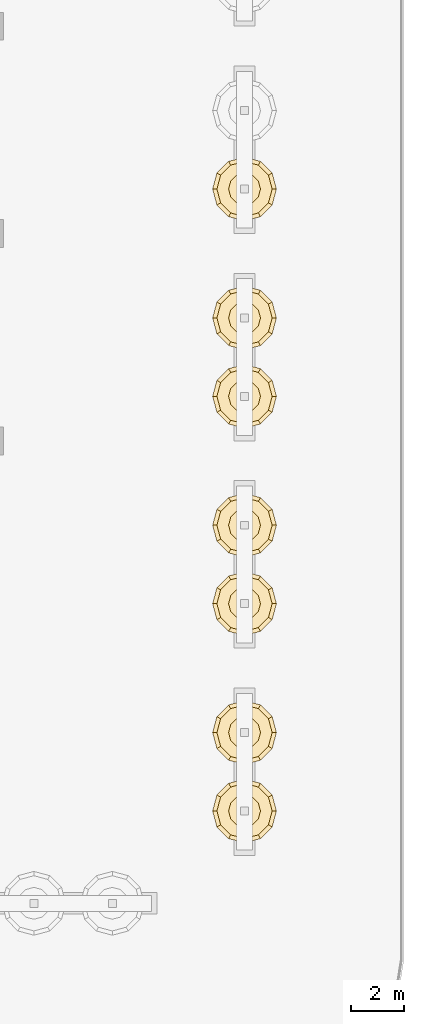
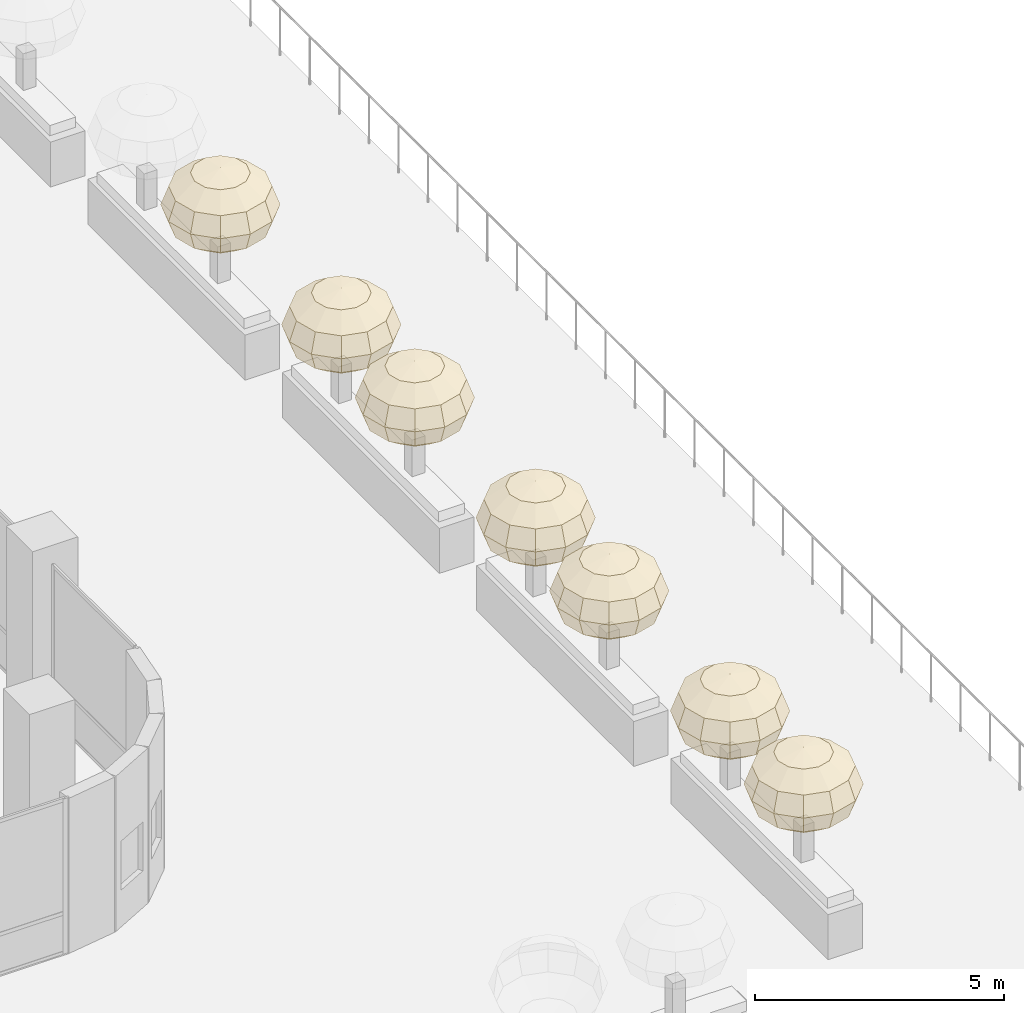
# One storey, part 30 of 31: 7 coverings.
"""IFC4 building model written with IfcOpenShell, lengths in metres."""

from ifc_helpers import new_model, si_unit, direction, frame, origin, place, context, subcontext, project, spatial, triangles, material, layer, layer_set, type_object, element, save


model = new_model("IFC4")

# Units and contexts
model_context = context("Model", 3, precision=1e-05, world=origin(), true_north=direction((0.0, 1.0)))
body_context = subcontext(model_context, "Body", "Model", "MODEL_VIEW")
ifc_project = project(units=[si_unit("LENGTHUNIT", "METRE"), si_unit("AREAUNIT", "SQUARE_METRE"), si_unit("VOLUMEUNIT", "CUBIC_METRE"), si_unit("PLANEANGLEUNIT", "RADIAN"), si_unit("MASSUNIT", "GRAM", prefix="KILO")], contexts=[model_context])

# Site, building, storey
site_placement = place(None, origin())
site = spatial("IfcSite", under=ifc_project, at=site_placement, CompositionType="ELEMENT")
building_placement = place(site_placement, origin())
building = spatial("IfcBuilding", under=site, at=building_placement, Name="Ludao Terraces", CompositionType="ELEMENT")
storey_placement = place(building_placement, frame((0.0, 0.0, 15.0)))
storey = spatial("IfcBuildingStorey", under=building, at=storey_placement, Name="L03", CompositionType="ELEMENT", Elevation=15.0)

# Coverings
ifc_material = material(Name="Planting")
ifc_layer = layer(ifc_material, 2.39990234375)
ifc_layer_set = layer_set([ifc_layer], Name="ENV Terrace tree crown 2400")
covering_type = type_object("IfcCoveringType", Name="ENV Terrace tree crown 2400", PredefinedType="USERDEFINED", material=ifc_layer_set)
covering_1_placement = place(storey_placement, frame((118.0, 35.47509765625, 3.14990234375)))
element("IfcCovering", 1, at=covering_1_placement, inside=storey, type_object=covering_type, Name="Terrace tree crown L03-T15.1", ObjectType="PLANTING", PredefinedType="USERDEFINED", context=body_context, shape_type="Tessellation", body=[
    triangles([(0.0, 0.0, 0.89990234375), (0.599853515625, 0.0, 0.779296875), (0.51953125, 0.300048828125, 0.779296875), (0.300048828125, 0.51953125, 0.779296875), (0.0, 0.599853515625, 0.779296875), (-0.300048828125, 0.51953125, 0.779296875), (-0.51953125, 0.300048828125, 0.779296875), (-0.599853515625, 0.0, 0.779296875), (-0.51953125, -0.300048828125, 0.779296875), (-0.300048828125, -0.51953125, 0.779296875), (0.0, -0.599853515625, 0.779296875), (0.300048828125, -0.51953125, 0.779296875), (0.51953125, -0.300048828125, 0.779296875), (1.039306640625, 0.0, 0.449951171875), (0.89990234375, 0.51953125, 0.449951171875), (0.51953125, 0.89990234375, 0.449951171875), (0.0, 1.039306640625, 0.449951171875), (-0.51953125, 0.89990234375, 0.449951171875), (-0.89990234375, 0.51953125, 0.449951171875), (-1.039306640625, 0.0, 0.449951171875), (-0.89990234375, -0.51953125, 0.449951171875), (-0.51953125, -0.89990234375, 0.449951171875), (0.0, -1.039306640625, 0.449951171875), (0.51953125, -0.89990234375, 0.449951171875), (0.89990234375, -0.51953125, 0.449951171875), (1.199951171875, 0.0, 0.0), (1.039306640625, 0.599853515625, 0.0), (0.60009765625, 1.039306640625, 0.0), (0.0, 1.199951171875, 0.0), (-0.599853515625, 1.039306640625, 0.0), (-1.039306640625, 0.599853515625, 0.0), (-1.199951171875, 0.0, 0.0), (-1.039306640625, -0.599853515625, 0.0), (-0.60009765625, -1.039306640625, 0.0), (0.0, -1.199951171875, 0.0), (0.60009765625, -1.039306640625, 0.0), (1.039306640625, -0.60009765625, 0.0), (1.039306640625, 0.0, -0.449951171875), (0.89990234375, 0.51953125, -0.449951171875), (0.51953125, 0.89990234375, -0.449951171875), (0.0, 1.039306640625, -0.449951171875), (-0.51953125, 0.89990234375, -0.449951171875), (-0.89990234375, 0.51953125, -0.449951171875), (-1.039306640625, 0.0, -0.449951171875), (-0.89990234375, -0.51953125, -0.449951171875), (-0.51953125, -0.89990234375, -0.449951171875), (0.0, -1.039306640625, -0.449951171875), (0.51953125, -0.89990234375, -0.449951171875), (0.89990234375, -0.51953125, -0.449951171875), (0.599853515625, 0.0, -0.779296875), (0.51953125, 0.300048828125, -0.779296875), (0.300048828125, 0.51953125, -0.779296875), (0.0, 0.599853515625, -0.779296875), (-0.300048828125, 0.51953125, -0.779296875), (-0.51953125, 0.300048828125, -0.779296875), (-0.599853515625, 0.0, -0.779296875), (-0.51953125, -0.300048828125, -0.779296875), (-0.300048828125, -0.51953125, -0.779296875), (0.0, -0.599853515625, -0.779296875), (0.300048828125, -0.51953125, -0.779296875), (0.51953125, -0.300048828125, -0.779296875), (0.0, 0.0, -0.89990234375)], [[1, 2, 3], [1, 3, 4], [1, 4, 5], [1, 5, 6], [1, 6, 7], [1, 7, 8], [1, 8, 9], [1, 9, 10], [1, 10, 11], [1, 11, 12], [1, 12, 13], [1, 13, 2], [2, 14, 15], [2, 15, 3], [3, 15, 16], [3, 16, 4], [4, 16, 17], [4, 17, 5], [5, 17, 18], [5, 18, 6], [6, 18, 19], [6, 19, 7], [7, 19, 20], [7, 20, 8], [8, 20, 21], [8, 21, 9], [9, 21, 22], [9, 22, 10], [10, 22, 23], [10, 23, 11], [11, 23, 24], [11, 24, 12], [12, 24, 25], [12, 25, 13], [13, 25, 14], [13, 14, 2], [14, 26, 27], [14, 27, 15], [15, 27, 28], [15, 28, 16], [16, 28, 29], [16, 29, 17], [17, 29, 30], [17, 30, 18], [18, 30, 31], [18, 31, 19], [19, 31, 32], [19, 32, 20], [20, 32, 33], [20, 33, 21], [21, 33, 34], [21, 34, 22], [22, 34, 35], [22, 35, 23], [23, 35, 36], [23, 36, 24], [24, 36, 37], [24, 37, 25], [25, 37, 26], [25, 26, 14], [26, 38, 39], [26, 39, 27], [27, 39, 40], [27, 40, 28], [28, 40, 41], [28, 41, 29], [29, 41, 42], [29, 42, 30], [30, 42, 43], [30, 43, 31], [31, 43, 44], [31, 44, 32], [32, 44, 45], [32, 45, 33], [33, 45, 46], [33, 46, 34], [34, 46, 47], [34, 47, 35], [35, 47, 48], [35, 48, 36], [36, 48, 49], [36, 49, 37], [37, 49, 38], [37, 38, 26], [38, 50, 51], [38, 51, 39], [39, 51, 52], [39, 52, 40], [40, 52, 53], [40, 53, 41], [41, 53, 54], [41, 54, 42], [42, 54, 55], [42, 55, 43], [43, 55, 56], [43, 56, 44], [44, 56, 57], [44, 57, 45], [45, 57, 58], [45, 58, 46], [46, 58, 59], [46, 59, 47], [47, 59, 60], [47, 60, 48], [48, 60, 61], [48, 61, 49], [49, 61, 50], [49, 50, 38], [62, 51, 50], [62, 52, 51], [62, 53, 52], [62, 54, 53], [62, 55, 54], [62, 56, 55], [62, 57, 56], [62, 58, 57], [62, 59, 58], [62, 60, 59], [62, 61, 60], [62, 50, 61]], closed=True),
])
covering_2_placement = place(storey_placement, frame((118.0, 38.425048828125, 3.14990234375)))
element("IfcCovering", 2, at=covering_2_placement, inside=storey, type_object=covering_type, Name="Terrace tree crown L03-T15.2", ObjectType="PLANTING", PredefinedType="USERDEFINED", context=body_context, shape_type="Tessellation", body=[
    triangles([(0.0, 0.0, 0.89990234375), (0.599853515625, 0.0, 0.779296875), (0.51953125, 0.300048828125, 0.779296875), (0.300048828125, 0.51953125, 0.779296875), (0.0, 0.599853515625, 0.779296875), (-0.300048828125, 0.51953125, 0.779296875), (-0.51953125, 0.300048828125, 0.779296875), (-0.599853515625, 0.0, 0.779296875), (-0.51953125, -0.300048828125, 0.779296875), (-0.300048828125, -0.51953125, 0.779296875), (0.0, -0.599853515625, 0.779296875), (0.300048828125, -0.51953125, 0.779296875), (0.51953125, -0.300048828125, 0.779296875), (1.039306640625, 0.0, 0.449951171875), (0.89990234375, 0.51953125, 0.449951171875), (0.51953125, 0.89990234375, 0.449951171875), (0.0, 1.039306640625, 0.449951171875), (-0.51953125, 0.89990234375, 0.449951171875), (-0.89990234375, 0.51953125, 0.449951171875), (-1.039306640625, 0.0, 0.449951171875), (-0.89990234375, -0.51953125, 0.449951171875), (-0.51953125, -0.89990234375, 0.449951171875), (0.0, -1.039306640625, 0.449951171875), (0.51953125, -0.89990234375, 0.449951171875), (0.89990234375, -0.51953125, 0.449951171875), (1.199951171875, 0.0, 0.0), (1.039306640625, 0.599853515625, 0.0), (0.60009765625, 1.039306640625, 0.0), (0.0, 1.199951171875, 0.0), (-0.599853515625, 1.039306640625, 0.0), (-1.039306640625, 0.599853515625, 0.0), (-1.199951171875, 0.0, 0.0), (-1.039306640625, -0.599853515625, 0.0), (-0.60009765625, -1.039306640625, 0.0), (0.0, -1.199951171875, 0.0), (0.60009765625, -1.039306640625, 0.0), (1.039306640625, -0.60009765625, 0.0), (1.039306640625, 0.0, -0.449951171875), (0.89990234375, 0.51953125, -0.449951171875), (0.51953125, 0.89990234375, -0.449951171875), (0.0, 1.039306640625, -0.449951171875), (-0.51953125, 0.89990234375, -0.449951171875), (-0.89990234375, 0.51953125, -0.449951171875), (-1.039306640625, 0.0, -0.449951171875), (-0.89990234375, -0.51953125, -0.449951171875), (-0.51953125, -0.89990234375, -0.449951171875), (0.0, -1.039306640625, -0.449951171875), (0.51953125, -0.89990234375, -0.449951171875), (0.89990234375, -0.51953125, -0.449951171875), (0.599853515625, 0.0, -0.779296875), (0.51953125, 0.300048828125, -0.779296875), (0.300048828125, 0.51953125, -0.779296875), (0.0, 0.599853515625, -0.779296875), (-0.300048828125, 0.51953125, -0.779296875), (-0.51953125, 0.300048828125, -0.779296875), (-0.599853515625, 0.0, -0.779296875), (-0.51953125, -0.300048828125, -0.779296875), (-0.300048828125, -0.51953125, -0.779296875), (0.0, -0.599853515625, -0.779296875), (0.300048828125, -0.51953125, -0.779296875), (0.51953125, -0.300048828125, -0.779296875), (0.0, 0.0, -0.89990234375)], [[1, 2, 3], [1, 3, 4], [1, 4, 5], [1, 5, 6], [1, 6, 7], [1, 7, 8], [1, 8, 9], [1, 9, 10], [1, 10, 11], [1, 11, 12], [1, 12, 13], [1, 13, 2], [2, 14, 15], [2, 15, 3], [3, 15, 16], [3, 16, 4], [4, 16, 17], [4, 17, 5], [5, 17, 18], [5, 18, 6], [6, 18, 19], [6, 19, 7], [7, 19, 20], [7, 20, 8], [8, 20, 21], [8, 21, 9], [9, 21, 22], [9, 22, 10], [10, 22, 23], [10, 23, 11], [11, 23, 24], [11, 24, 12], [12, 24, 25], [12, 25, 13], [13, 25, 14], [13, 14, 2], [14, 26, 27], [14, 27, 15], [15, 27, 28], [15, 28, 16], [16, 28, 29], [16, 29, 17], [17, 29, 30], [17, 30, 18], [18, 30, 31], [18, 31, 19], [19, 31, 32], [19, 32, 20], [20, 32, 33], [20, 33, 21], [21, 33, 34], [21, 34, 22], [22, 34, 35], [22, 35, 23], [23, 35, 36], [23, 36, 24], [24, 36, 37], [24, 37, 25], [25, 37, 26], [25, 26, 14], [26, 38, 39], [26, 39, 27], [27, 39, 40], [27, 40, 28], [28, 40, 41], [28, 41, 29], [29, 41, 42], [29, 42, 30], [30, 42, 43], [30, 43, 31], [31, 43, 44], [31, 44, 32], [32, 44, 45], [32, 45, 33], [33, 45, 46], [33, 46, 34], [34, 46, 47], [34, 47, 35], [35, 47, 48], [35, 48, 36], [36, 48, 49], [36, 49, 37], [37, 49, 38], [37, 38, 26], [38, 50, 51], [38, 51, 39], [39, 51, 52], [39, 52, 40], [40, 52, 53], [40, 53, 41], [41, 53, 54], [41, 54, 42], [42, 54, 55], [42, 55, 43], [43, 55, 56], [43, 56, 44], [44, 56, 57], [44, 57, 45], [45, 57, 58], [45, 58, 46], [46, 58, 59], [46, 59, 47], [47, 59, 60], [47, 60, 48], [48, 60, 61], [48, 61, 49], [49, 61, 50], [49, 50, 38], [62, 51, 50], [62, 52, 51], [62, 53, 52], [62, 54, 53], [62, 55, 54], [62, 56, 55], [62, 57, 56], [62, 58, 57], [62, 59, 58], [62, 60, 59], [62, 61, 60], [62, 50, 61]], closed=True),
])
covering_3_placement = place(storey_placement, frame((118.0, 43.27490234375, 3.14990234375)))
element("IfcCovering", 3, at=covering_3_placement, inside=storey, type_object=covering_type, Name="Terrace tree crown L03-T16.1", ObjectType="PLANTING", PredefinedType="USERDEFINED", context=body_context, shape_type="Tessellation", body=[
    triangles([(0.0, 0.0, 0.89990234375), (0.599853515625, 0.0, 0.779296875), (0.51953125, 0.300048828125, 0.779296875), (0.300048828125, 0.51953125, 0.779296875), (0.0, 0.599853515625, 0.779296875), (-0.300048828125, 0.51953125, 0.779296875), (-0.51953125, 0.300048828125, 0.779296875), (-0.599853515625, 0.0, 0.779296875), (-0.51953125, -0.300048828125, 0.779296875), (-0.300048828125, -0.51953125, 0.779296875), (0.0, -0.599853515625, 0.779296875), (0.300048828125, -0.51953125, 0.779296875), (0.51953125, -0.300048828125, 0.779296875), (1.039306640625, 0.0, 0.449951171875), (0.89990234375, 0.51953125, 0.449951171875), (0.51953125, 0.89990234375, 0.449951171875), (0.0, 1.039306640625, 0.449951171875), (-0.51953125, 0.89990234375, 0.449951171875), (-0.89990234375, 0.51953125, 0.449951171875), (-1.039306640625, 0.0, 0.449951171875), (-0.89990234375, -0.51953125, 0.449951171875), (-0.51953125, -0.89990234375, 0.449951171875), (0.0, -1.039306640625, 0.449951171875), (0.51953125, -0.89990234375, 0.449951171875), (0.89990234375, -0.51953125, 0.449951171875), (1.199951171875, 0.0, 0.0), (1.039306640625, 0.599853515625, 0.0), (0.60009765625, 1.039306640625, 0.0), (0.0, 1.199951171875, 0.0), (-0.599853515625, 1.039306640625, 0.0), (-1.039306640625, 0.599853515625, 0.0), (-1.199951171875, 0.0, 0.0), (-1.039306640625, -0.599853515625, 0.0), (-0.60009765625, -1.039306640625, 0.0), (0.0, -1.199951171875, 0.0), (0.60009765625, -1.039306640625, 0.0), (1.039306640625, -0.60009765625, 0.0), (1.039306640625, 0.0, -0.449951171875), (0.89990234375, 0.51953125, -0.449951171875), (0.51953125, 0.89990234375, -0.449951171875), (0.0, 1.039306640625, -0.449951171875), (-0.51953125, 0.89990234375, -0.449951171875), (-0.89990234375, 0.51953125, -0.449951171875), (-1.039306640625, 0.0, -0.449951171875), (-0.89990234375, -0.51953125, -0.449951171875), (-0.51953125, -0.89990234375, -0.449951171875), (0.0, -1.039306640625, -0.449951171875), (0.51953125, -0.89990234375, -0.449951171875), (0.89990234375, -0.51953125, -0.449951171875), (0.599853515625, 0.0, -0.779296875), (0.51953125, 0.300048828125, -0.779296875), (0.300048828125, 0.51953125, -0.779296875), (0.0, 0.599853515625, -0.779296875), (-0.300048828125, 0.51953125, -0.779296875), (-0.51953125, 0.300048828125, -0.779296875), (-0.599853515625, 0.0, -0.779296875), (-0.51953125, -0.300048828125, -0.779296875), (-0.300048828125, -0.51953125, -0.779296875), (0.0, -0.599853515625, -0.779296875), (0.300048828125, -0.51953125, -0.779296875), (0.51953125, -0.300048828125, -0.779296875), (0.0, 0.0, -0.89990234375)], [[1, 2, 3], [1, 3, 4], [1, 4, 5], [1, 5, 6], [1, 6, 7], [1, 7, 8], [1, 8, 9], [1, 9, 10], [1, 10, 11], [1, 11, 12], [1, 12, 13], [1, 13, 2], [2, 14, 15], [2, 15, 3], [3, 15, 16], [3, 16, 4], [4, 16, 17], [4, 17, 5], [5, 17, 18], [5, 18, 6], [6, 18, 19], [6, 19, 7], [7, 19, 20], [7, 20, 8], [8, 20, 21], [8, 21, 9], [9, 21, 22], [9, 22, 10], [10, 22, 23], [10, 23, 11], [11, 23, 24], [11, 24, 12], [12, 24, 25], [12, 25, 13], [13, 25, 14], [13, 14, 2], [14, 26, 27], [14, 27, 15], [15, 27, 28], [15, 28, 16], [16, 28, 29], [16, 29, 17], [17, 29, 30], [17, 30, 18], [18, 30, 31], [18, 31, 19], [19, 31, 32], [19, 32, 20], [20, 32, 33], [20, 33, 21], [21, 33, 34], [21, 34, 22], [22, 34, 35], [22, 35, 23], [23, 35, 36], [23, 36, 24], [24, 36, 37], [24, 37, 25], [25, 37, 26], [25, 26, 14], [26, 38, 39], [26, 39, 27], [27, 39, 40], [27, 40, 28], [28, 40, 41], [28, 41, 29], [29, 41, 42], [29, 42, 30], [30, 42, 43], [30, 43, 31], [31, 43, 44], [31, 44, 32], [32, 44, 45], [32, 45, 33], [33, 45, 46], [33, 46, 34], [34, 46, 47], [34, 47, 35], [35, 47, 48], [35, 48, 36], [36, 48, 49], [36, 49, 37], [37, 49, 38], [37, 38, 26], [38, 50, 51], [38, 51, 39], [39, 51, 52], [39, 52, 40], [40, 52, 53], [40, 53, 41], [41, 53, 54], [41, 54, 42], [42, 54, 55], [42, 55, 43], [43, 55, 56], [43, 56, 44], [44, 56, 57], [44, 57, 45], [45, 57, 58], [45, 58, 46], [46, 58, 59], [46, 59, 47], [47, 59, 60], [47, 60, 48], [48, 60, 61], [48, 61, 49], [49, 61, 50], [49, 50, 38], [62, 51, 50], [62, 52, 51], [62, 53, 52], [62, 54, 53], [62, 55, 54], [62, 56, 55], [62, 57, 56], [62, 58, 57], [62, 59, 58], [62, 60, 59], [62, 61, 60], [62, 50, 61]], closed=True),
])
covering_4_placement = place(storey_placement, frame((118.0, 46.22509765625, 3.14990234375)))
element("IfcCovering", 4, at=covering_4_placement, inside=storey, type_object=covering_type, Name="Terrace tree crown L03-T16.2", ObjectType="PLANTING", PredefinedType="USERDEFINED", context=body_context, shape_type="Tessellation", body=[
    triangles([(0.0, 0.0, 0.89990234375), (0.599853515625, 0.0, 0.779296875), (0.51953125, 0.300048828125, 0.779296875), (0.300048828125, 0.51953125, 0.779296875), (0.0, 0.599853515625, 0.779296875), (-0.300048828125, 0.51953125, 0.779296875), (-0.51953125, 0.300048828125, 0.779296875), (-0.599853515625, 0.0, 0.779296875), (-0.51953125, -0.300048828125, 0.779296875), (-0.300048828125, -0.51953125, 0.779296875), (0.0, -0.599853515625, 0.779296875), (0.300048828125, -0.51953125, 0.779296875), (0.51953125, -0.300048828125, 0.779296875), (1.039306640625, 0.0, 0.449951171875), (0.89990234375, 0.51953125, 0.449951171875), (0.51953125, 0.89990234375, 0.449951171875), (0.0, 1.039306640625, 0.449951171875), (-0.51953125, 0.89990234375, 0.449951171875), (-0.89990234375, 0.51953125, 0.449951171875), (-1.039306640625, 0.0, 0.449951171875), (-0.89990234375, -0.51953125, 0.449951171875), (-0.51953125, -0.89990234375, 0.449951171875), (0.0, -1.039306640625, 0.449951171875), (0.51953125, -0.89990234375, 0.449951171875), (0.89990234375, -0.51953125, 0.449951171875), (1.199951171875, 0.0, 0.0), (1.039306640625, 0.599853515625, 0.0), (0.60009765625, 1.039306640625, 0.0), (0.0, 1.199951171875, 0.0), (-0.599853515625, 1.039306640625, 0.0), (-1.039306640625, 0.599853515625, 0.0), (-1.199951171875, 0.0, 0.0), (-1.039306640625, -0.599853515625, 0.0), (-0.60009765625, -1.039306640625, 0.0), (0.0, -1.199951171875, 0.0), (0.60009765625, -1.039306640625, 0.0), (1.039306640625, -0.60009765625, 0.0), (1.039306640625, 0.0, -0.449951171875), (0.89990234375, 0.51953125, -0.449951171875), (0.51953125, 0.89990234375, -0.449951171875), (0.0, 1.039306640625, -0.449951171875), (-0.51953125, 0.89990234375, -0.449951171875), (-0.89990234375, 0.51953125, -0.449951171875), (-1.039306640625, 0.0, -0.449951171875), (-0.89990234375, -0.51953125, -0.449951171875), (-0.51953125, -0.89990234375, -0.449951171875), (0.0, -1.039306640625, -0.449951171875), (0.51953125, -0.89990234375, -0.449951171875), (0.89990234375, -0.51953125, -0.449951171875), (0.599853515625, 0.0, -0.779296875), (0.51953125, 0.300048828125, -0.779296875), (0.300048828125, 0.51953125, -0.779296875), (0.0, 0.599853515625, -0.779296875), (-0.300048828125, 0.51953125, -0.779296875), (-0.51953125, 0.300048828125, -0.779296875), (-0.599853515625, 0.0, -0.779296875), (-0.51953125, -0.300048828125, -0.779296875), (-0.300048828125, -0.51953125, -0.779296875), (0.0, -0.599853515625, -0.779296875), (0.300048828125, -0.51953125, -0.779296875), (0.51953125, -0.300048828125, -0.779296875), (0.0, 0.0, -0.89990234375)], [[1, 2, 3], [1, 3, 4], [1, 4, 5], [1, 5, 6], [1, 6, 7], [1, 7, 8], [1, 8, 9], [1, 9, 10], [1, 10, 11], [1, 11, 12], [1, 12, 13], [1, 13, 2], [2, 14, 15], [2, 15, 3], [3, 15, 16], [3, 16, 4], [4, 16, 17], [4, 17, 5], [5, 17, 18], [5, 18, 6], [6, 18, 19], [6, 19, 7], [7, 19, 20], [7, 20, 8], [8, 20, 21], [8, 21, 9], [9, 21, 22], [9, 22, 10], [10, 22, 23], [10, 23, 11], [11, 23, 24], [11, 24, 12], [12, 24, 25], [12, 25, 13], [13, 25, 14], [13, 14, 2], [14, 26, 27], [14, 27, 15], [15, 27, 28], [15, 28, 16], [16, 28, 29], [16, 29, 17], [17, 29, 30], [17, 30, 18], [18, 30, 31], [18, 31, 19], [19, 31, 32], [19, 32, 20], [20, 32, 33], [20, 33, 21], [21, 33, 34], [21, 34, 22], [22, 34, 35], [22, 35, 23], [23, 35, 36], [23, 36, 24], [24, 36, 37], [24, 37, 25], [25, 37, 26], [25, 26, 14], [26, 38, 39], [26, 39, 27], [27, 39, 40], [27, 40, 28], [28, 40, 41], [28, 41, 29], [29, 41, 42], [29, 42, 30], [30, 42, 43], [30, 43, 31], [31, 43, 44], [31, 44, 32], [32, 44, 45], [32, 45, 33], [33, 45, 46], [33, 46, 34], [34, 46, 47], [34, 47, 35], [35, 47, 48], [35, 48, 36], [36, 48, 49], [36, 49, 37], [37, 49, 38], [37, 38, 26], [38, 50, 51], [38, 51, 39], [39, 51, 52], [39, 52, 40], [40, 52, 53], [40, 53, 41], [41, 53, 54], [41, 54, 42], [42, 54, 55], [42, 55, 43], [43, 55, 56], [43, 56, 44], [44, 56, 57], [44, 57, 45], [45, 57, 58], [45, 58, 46], [46, 58, 59], [46, 59, 47], [47, 59, 60], [47, 60, 48], [48, 60, 61], [48, 61, 49], [49, 61, 50], [49, 50, 38], [62, 51, 50], [62, 52, 51], [62, 53, 52], [62, 54, 53], [62, 55, 54], [62, 56, 55], [62, 57, 56], [62, 58, 57], [62, 59, 58], [62, 60, 59], [62, 61, 60], [62, 50, 61]], closed=True),
])
covering_5_placement = place(storey_placement, frame((118.0, 51.074951171875, 3.14990234375)))
element("IfcCovering", 5, at=covering_5_placement, inside=storey, type_object=covering_type, Name="Terrace tree crown L03-T17.1", ObjectType="PLANTING", PredefinedType="USERDEFINED", context=body_context, shape_type="Tessellation", body=[
    triangles([(0.0, 0.0, 0.89990234375), (0.599853515625, 0.0, 0.779296875), (0.51953125, 0.300048828125, 0.779296875), (0.300048828125, 0.51953125, 0.779296875), (0.0, 0.599853515625, 0.779296875), (-0.300048828125, 0.51953125, 0.779296875), (-0.51953125, 0.300048828125, 0.779296875), (-0.599853515625, 0.0, 0.779296875), (-0.51953125, -0.300048828125, 0.779296875), (-0.300048828125, -0.51953125, 0.779296875), (0.0, -0.599853515625, 0.779296875), (0.300048828125, -0.51953125, 0.779296875), (0.51953125, -0.300048828125, 0.779296875), (1.039306640625, 0.0, 0.449951171875), (0.89990234375, 0.51953125, 0.449951171875), (0.51953125, 0.89990234375, 0.449951171875), (0.0, 1.039306640625, 0.449951171875), (-0.51953125, 0.89990234375, 0.449951171875), (-0.89990234375, 0.51953125, 0.449951171875), (-1.039306640625, 0.0, 0.449951171875), (-0.89990234375, -0.51953125, 0.449951171875), (-0.51953125, -0.89990234375, 0.449951171875), (0.0, -1.039306640625, 0.449951171875), (0.51953125, -0.89990234375, 0.449951171875), (0.89990234375, -0.51953125, 0.449951171875), (1.199951171875, 0.0, 0.0), (1.039306640625, 0.599853515625, 0.0), (0.60009765625, 1.039306640625, 0.0), (0.0, 1.199951171875, 0.0), (-0.599853515625, 1.039306640625, 0.0), (-1.039306640625, 0.599853515625, 0.0), (-1.199951171875, 0.0, 0.0), (-1.039306640625, -0.599853515625, 0.0), (-0.60009765625, -1.039306640625, 0.0), (0.0, -1.199951171875, 0.0), (0.60009765625, -1.039306640625, 0.0), (1.039306640625, -0.60009765625, 0.0), (1.039306640625, 0.0, -0.449951171875), (0.89990234375, 0.51953125, -0.449951171875), (0.51953125, 0.89990234375, -0.449951171875), (0.0, 1.039306640625, -0.449951171875), (-0.51953125, 0.89990234375, -0.449951171875), (-0.89990234375, 0.51953125, -0.449951171875), (-1.039306640625, 0.0, -0.449951171875), (-0.89990234375, -0.51953125, -0.449951171875), (-0.51953125, -0.89990234375, -0.449951171875), (0.0, -1.039306640625, -0.449951171875), (0.51953125, -0.89990234375, -0.449951171875), (0.89990234375, -0.51953125, -0.449951171875), (0.599853515625, 0.0, -0.779296875), (0.51953125, 0.300048828125, -0.779296875), (0.300048828125, 0.51953125, -0.779296875), (0.0, 0.599853515625, -0.779296875), (-0.300048828125, 0.51953125, -0.779296875), (-0.51953125, 0.300048828125, -0.779296875), (-0.599853515625, 0.0, -0.779296875), (-0.51953125, -0.300048828125, -0.779296875), (-0.300048828125, -0.51953125, -0.779296875), (0.0, -0.599853515625, -0.779296875), (0.300048828125, -0.51953125, -0.779296875), (0.51953125, -0.300048828125, -0.779296875), (0.0, 0.0, -0.89990234375)], [[1, 2, 3], [1, 3, 4], [1, 4, 5], [1, 5, 6], [1, 6, 7], [1, 7, 8], [1, 8, 9], [1, 9, 10], [1, 10, 11], [1, 11, 12], [1, 12, 13], [1, 13, 2], [2, 14, 15], [2, 15, 3], [3, 15, 16], [3, 16, 4], [4, 16, 17], [4, 17, 5], [5, 17, 18], [5, 18, 6], [6, 18, 19], [6, 19, 7], [7, 19, 20], [7, 20, 8], [8, 20, 21], [8, 21, 9], [9, 21, 22], [9, 22, 10], [10, 22, 23], [10, 23, 11], [11, 23, 24], [11, 24, 12], [12, 24, 25], [12, 25, 13], [13, 25, 14], [13, 14, 2], [14, 26, 27], [14, 27, 15], [15, 27, 28], [15, 28, 16], [16, 28, 29], [16, 29, 17], [17, 29, 30], [17, 30, 18], [18, 30, 31], [18, 31, 19], [19, 31, 32], [19, 32, 20], [20, 32, 33], [20, 33, 21], [21, 33, 34], [21, 34, 22], [22, 34, 35], [22, 35, 23], [23, 35, 36], [23, 36, 24], [24, 36, 37], [24, 37, 25], [25, 37, 26], [25, 26, 14], [26, 38, 39], [26, 39, 27], [27, 39, 40], [27, 40, 28], [28, 40, 41], [28, 41, 29], [29, 41, 42], [29, 42, 30], [30, 42, 43], [30, 43, 31], [31, 43, 44], [31, 44, 32], [32, 44, 45], [32, 45, 33], [33, 45, 46], [33, 46, 34], [34, 46, 47], [34, 47, 35], [35, 47, 48], [35, 48, 36], [36, 48, 49], [36, 49, 37], [37, 49, 38], [37, 38, 26], [38, 50, 51], [38, 51, 39], [39, 51, 52], [39, 52, 40], [40, 52, 53], [40, 53, 41], [41, 53, 54], [41, 54, 42], [42, 54, 55], [42, 55, 43], [43, 55, 56], [43, 56, 44], [44, 56, 57], [44, 57, 45], [45, 57, 58], [45, 58, 46], [46, 58, 59], [46, 59, 47], [47, 59, 60], [47, 60, 48], [48, 60, 61], [48, 61, 49], [49, 61, 50], [49, 50, 38], [62, 51, 50], [62, 52, 51], [62, 53, 52], [62, 54, 53], [62, 55, 54], [62, 56, 55], [62, 57, 56], [62, 58, 57], [62, 59, 58], [62, 60, 59], [62, 61, 60], [62, 50, 61]], closed=True),
])
covering_6_placement = place(storey_placement, frame((118.0, 54.02490234375, 3.14990234375)))
element("IfcCovering", 6, at=covering_6_placement, inside=storey, type_object=covering_type, Name="Terrace tree crown L03-T17.2", ObjectType="PLANTING", PredefinedType="USERDEFINED", context=body_context, shape_type="Tessellation", body=[
    triangles([(0.0, 0.0, 0.89990234375), (0.599853515625, 0.0, 0.779296875), (0.51953125, 0.300048828125, 0.779296875), (0.300048828125, 0.51953125, 0.779296875), (0.0, 0.599853515625, 0.779296875), (-0.300048828125, 0.51953125, 0.779296875), (-0.51953125, 0.300048828125, 0.779296875), (-0.599853515625, 0.0, 0.779296875), (-0.51953125, -0.300048828125, 0.779296875), (-0.300048828125, -0.51953125, 0.779296875), (0.0, -0.599853515625, 0.779296875), (0.300048828125, -0.51953125, 0.779296875), (0.51953125, -0.300048828125, 0.779296875), (1.039306640625, 0.0, 0.449951171875), (0.89990234375, 0.51953125, 0.449951171875), (0.51953125, 0.89990234375, 0.449951171875), (0.0, 1.039306640625, 0.449951171875), (-0.51953125, 0.89990234375, 0.449951171875), (-0.89990234375, 0.51953125, 0.449951171875), (-1.039306640625, 0.0, 0.449951171875), (-0.89990234375, -0.51953125, 0.449951171875), (-0.51953125, -0.89990234375, 0.449951171875), (0.0, -1.039306640625, 0.449951171875), (0.51953125, -0.89990234375, 0.449951171875), (0.89990234375, -0.51953125, 0.449951171875), (1.199951171875, 0.0, 0.0), (1.039306640625, 0.599853515625, 0.0), (0.60009765625, 1.039306640625, 0.0), (0.0, 1.199951171875, 0.0), (-0.599853515625, 1.039306640625, 0.0), (-1.039306640625, 0.599853515625, 0.0), (-1.199951171875, 0.0, 0.0), (-1.039306640625, -0.599853515625, 0.0), (-0.60009765625, -1.039306640625, 0.0), (0.0, -1.199951171875, 0.0), (0.60009765625, -1.039306640625, 0.0), (1.039306640625, -0.60009765625, 0.0), (1.039306640625, 0.0, -0.449951171875), (0.89990234375, 0.51953125, -0.449951171875), (0.51953125, 0.89990234375, -0.449951171875), (0.0, 1.039306640625, -0.449951171875), (-0.51953125, 0.89990234375, -0.449951171875), (-0.89990234375, 0.51953125, -0.449951171875), (-1.039306640625, 0.0, -0.449951171875), (-0.89990234375, -0.51953125, -0.449951171875), (-0.51953125, -0.89990234375, -0.449951171875), (0.0, -1.039306640625, -0.449951171875), (0.51953125, -0.89990234375, -0.449951171875), (0.89990234375, -0.51953125, -0.449951171875), (0.599853515625, 0.0, -0.779296875), (0.51953125, 0.300048828125, -0.779296875), (0.300048828125, 0.51953125, -0.779296875), (0.0, 0.599853515625, -0.779296875), (-0.300048828125, 0.51953125, -0.779296875), (-0.51953125, 0.300048828125, -0.779296875), (-0.599853515625, 0.0, -0.779296875), (-0.51953125, -0.300048828125, -0.779296875), (-0.300048828125, -0.51953125, -0.779296875), (0.0, -0.599853515625, -0.779296875), (0.300048828125, -0.51953125, -0.779296875), (0.51953125, -0.300048828125, -0.779296875), (0.0, 0.0, -0.89990234375)], [[1, 2, 3], [1, 3, 4], [1, 4, 5], [1, 5, 6], [1, 6, 7], [1, 7, 8], [1, 8, 9], [1, 9, 10], [1, 10, 11], [1, 11, 12], [1, 12, 13], [1, 13, 2], [2, 14, 15], [2, 15, 3], [3, 15, 16], [3, 16, 4], [4, 16, 17], [4, 17, 5], [5, 17, 18], [5, 18, 6], [6, 18, 19], [6, 19, 7], [7, 19, 20], [7, 20, 8], [8, 20, 21], [8, 21, 9], [9, 21, 22], [9, 22, 10], [10, 22, 23], [10, 23, 11], [11, 23, 24], [11, 24, 12], [12, 24, 25], [12, 25, 13], [13, 25, 14], [13, 14, 2], [14, 26, 27], [14, 27, 15], [15, 27, 28], [15, 28, 16], [16, 28, 29], [16, 29, 17], [17, 29, 30], [17, 30, 18], [18, 30, 31], [18, 31, 19], [19, 31, 32], [19, 32, 20], [20, 32, 33], [20, 33, 21], [21, 33, 34], [21, 34, 22], [22, 34, 35], [22, 35, 23], [23, 35, 36], [23, 36, 24], [24, 36, 37], [24, 37, 25], [25, 37, 26], [25, 26, 14], [26, 38, 39], [26, 39, 27], [27, 39, 40], [27, 40, 28], [28, 40, 41], [28, 41, 29], [29, 41, 42], [29, 42, 30], [30, 42, 43], [30, 43, 31], [31, 43, 44], [31, 44, 32], [32, 44, 45], [32, 45, 33], [33, 45, 46], [33, 46, 34], [34, 46, 47], [34, 47, 35], [35, 47, 48], [35, 48, 36], [36, 48, 49], [36, 49, 37], [37, 49, 38], [37, 38, 26], [38, 50, 51], [38, 51, 39], [39, 51, 52], [39, 52, 40], [40, 52, 53], [40, 53, 41], [41, 53, 54], [41, 54, 42], [42, 54, 55], [42, 55, 43], [43, 55, 56], [43, 56, 44], [44, 56, 57], [44, 57, 45], [45, 57, 58], [45, 58, 46], [46, 58, 59], [46, 59, 47], [47, 59, 60], [47, 60, 48], [48, 60, 61], [48, 61, 49], [49, 61, 50], [49, 50, 38], [62, 51, 50], [62, 52, 51], [62, 53, 52], [62, 54, 53], [62, 55, 54], [62, 56, 55], [62, 57, 56], [62, 58, 57], [62, 59, 58], [62, 60, 59], [62, 61, 60], [62, 50, 61]], closed=True),
])
covering_7_placement = place(storey_placement, frame((118.0, 58.875, 3.14990234375)))
element("IfcCovering", 7, at=covering_7_placement, inside=storey, type_object=covering_type, Name="Terrace tree crown L03-T18.1", ObjectType="PLANTING", PredefinedType="USERDEFINED", context=body_context, shape_type="Tessellation", body=[
    triangles([(0.0, 0.0, 0.89990234375), (0.599853515625, 0.0, 0.779296875), (0.51953125, 0.300048828125, 0.779296875), (0.300048828125, 0.51953125, 0.779296875), (0.0, 0.599853515625, 0.779296875), (-0.300048828125, 0.51953125, 0.779296875), (-0.51953125, 0.300048828125, 0.779296875), (-0.599853515625, 0.0, 0.779296875), (-0.51953125, -0.300048828125, 0.779296875), (-0.300048828125, -0.51953125, 0.779296875), (0.0, -0.599853515625, 0.779296875), (0.300048828125, -0.51953125, 0.779296875), (0.51953125, -0.300048828125, 0.779296875), (1.039306640625, 0.0, 0.449951171875), (0.89990234375, 0.51953125, 0.449951171875), (0.51953125, 0.89990234375, 0.449951171875), (0.0, 1.039306640625, 0.449951171875), (-0.51953125, 0.89990234375, 0.449951171875), (-0.89990234375, 0.51953125, 0.449951171875), (-1.039306640625, 0.0, 0.449951171875), (-0.89990234375, -0.51953125, 0.449951171875), (-0.51953125, -0.89990234375, 0.449951171875), (0.0, -1.039306640625, 0.449951171875), (0.51953125, -0.89990234375, 0.449951171875), (0.89990234375, -0.51953125, 0.449951171875), (1.199951171875, 0.0, 0.0), (1.039306640625, 0.599853515625, 0.0), (0.60009765625, 1.039306640625, 0.0), (0.0, 1.199951171875, 0.0), (-0.599853515625, 1.039306640625, 0.0), (-1.039306640625, 0.599853515625, 0.0), (-1.199951171875, 0.0, 0.0), (-1.039306640625, -0.599853515625, 0.0), (-0.60009765625, -1.039306640625, 0.0), (0.0, -1.199951171875, 0.0), (0.60009765625, -1.039306640625, 0.0), (1.039306640625, -0.60009765625, 0.0), (1.039306640625, 0.0, -0.449951171875), (0.89990234375, 0.51953125, -0.449951171875), (0.51953125, 0.89990234375, -0.449951171875), (0.0, 1.039306640625, -0.449951171875), (-0.51953125, 0.89990234375, -0.449951171875), (-0.89990234375, 0.51953125, -0.449951171875), (-1.039306640625, 0.0, -0.449951171875), (-0.89990234375, -0.51953125, -0.449951171875), (-0.51953125, -0.89990234375, -0.449951171875), (0.0, -1.039306640625, -0.449951171875), (0.51953125, -0.89990234375, -0.449951171875), (0.89990234375, -0.51953125, -0.449951171875), (0.599853515625, 0.0, -0.779296875), (0.51953125, 0.300048828125, -0.779296875), (0.300048828125, 0.51953125, -0.779296875), (0.0, 0.599853515625, -0.779296875), (-0.300048828125, 0.51953125, -0.779296875), (-0.51953125, 0.300048828125, -0.779296875), (-0.599853515625, 0.0, -0.779296875), (-0.51953125, -0.300048828125, -0.779296875), (-0.300048828125, -0.51953125, -0.779296875), (0.0, -0.599853515625, -0.779296875), (0.300048828125, -0.51953125, -0.779296875), (0.51953125, -0.300048828125, -0.779296875), (0.0, 0.0, -0.89990234375)], [[1, 2, 3], [1, 3, 4], [1, 4, 5], [1, 5, 6], [1, 6, 7], [1, 7, 8], [1, 8, 9], [1, 9, 10], [1, 10, 11], [1, 11, 12], [1, 12, 13], [1, 13, 2], [2, 14, 15], [2, 15, 3], [3, 15, 16], [3, 16, 4], [4, 16, 17], [4, 17, 5], [5, 17, 18], [5, 18, 6], [6, 18, 19], [6, 19, 7], [7, 19, 20], [7, 20, 8], [8, 20, 21], [8, 21, 9], [9, 21, 22], [9, 22, 10], [10, 22, 23], [10, 23, 11], [11, 23, 24], [11, 24, 12], [12, 24, 25], [12, 25, 13], [13, 25, 14], [13, 14, 2], [14, 26, 27], [14, 27, 15], [15, 27, 28], [15, 28, 16], [16, 28, 29], [16, 29, 17], [17, 29, 30], [17, 30, 18], [18, 30, 31], [18, 31, 19], [19, 31, 32], [19, 32, 20], [20, 32, 33], [20, 33, 21], [21, 33, 34], [21, 34, 22], [22, 34, 35], [22, 35, 23], [23, 35, 36], [23, 36, 24], [24, 36, 37], [24, 37, 25], [25, 37, 26], [25, 26, 14], [26, 38, 39], [26, 39, 27], [27, 39, 40], [27, 40, 28], [28, 40, 41], [28, 41, 29], [29, 41, 42], [29, 42, 30], [30, 42, 43], [30, 43, 31], [31, 43, 44], [31, 44, 32], [32, 44, 45], [32, 45, 33], [33, 45, 46], [33, 46, 34], [34, 46, 47], [34, 47, 35], [35, 47, 48], [35, 48, 36], [36, 48, 49], [36, 49, 37], [37, 49, 38], [37, 38, 26], [38, 50, 51], [38, 51, 39], [39, 51, 52], [39, 52, 40], [40, 52, 53], [40, 53, 41], [41, 53, 54], [41, 54, 42], [42, 54, 55], [42, 55, 43], [43, 55, 56], [43, 56, 44], [44, 56, 57], [44, 57, 45], [45, 57, 58], [45, 58, 46], [46, 58, 59], [46, 59, 47], [47, 59, 60], [47, 60, 48], [48, 60, 61], [48, 61, 49], [49, 61, 50], [49, 50, 38], [62, 51, 50], [62, 52, 51], [62, 53, 52], [62, 54, 53], [62, 55, 54], [62, 56, 55], [62, 57, 56], [62, 58, 57], [62, 59, 58], [62, 60, 59], [62, 61, 60], [62, 50, 61]], closed=True),
])

save(model, "model.ifc")
